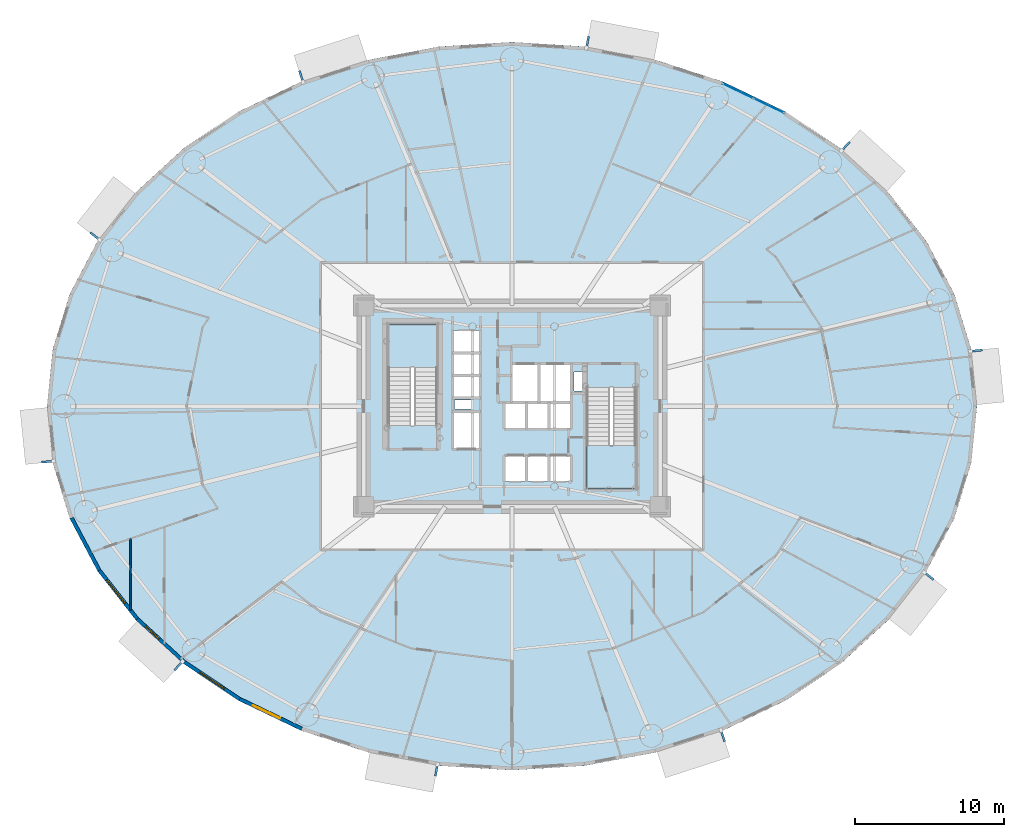
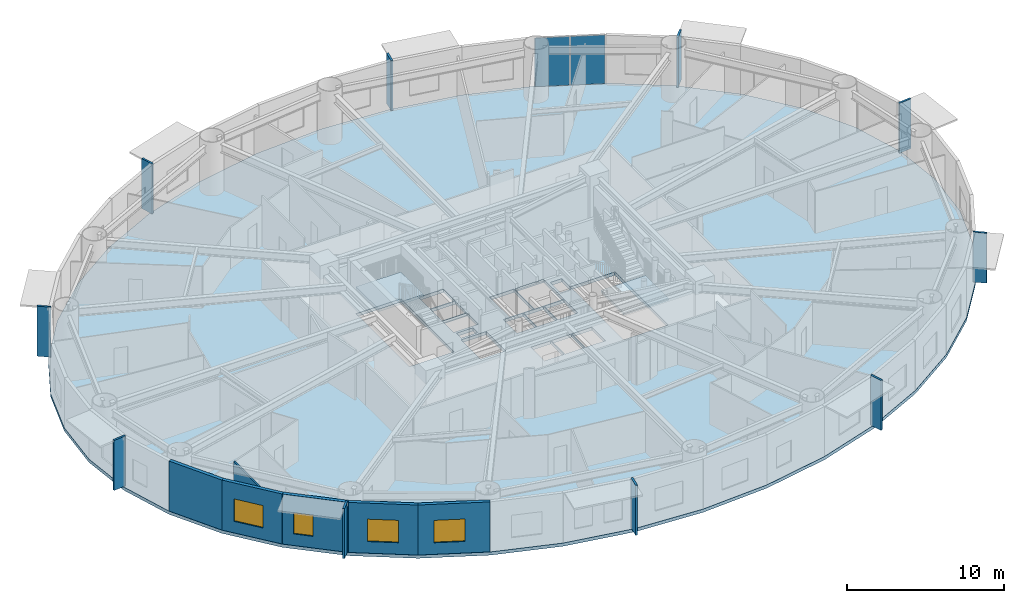
# One storey, part 7 of 21: 12 plates, 6 walls, 4 windows, 3 slabs, 4 openings, 3 elements without a shape of their own.
"""IFC4 building model written with IfcOpenShell, lengths in metres."""

from ifc_helpers import new_model, si_unit, direction, frame, frame_2d, origin, origin_2d, place, context, subcontext, project, spatial, polyline, rectangle, outline, extrude, source, transform, mapped, material, layer, layer_set, type_object, element, fill, aggregate, save


model = new_model("IFC4")

# Units and contexts
model_context = context("Model", 3, precision=1e-05, world=origin(), true_north=direction((0.0, 1.0)))
body_context = subcontext(model_context, "Body", "Model", "MODEL_VIEW")
ifc_project = project(units=[si_unit("LENGTHUNIT", "METRE"), si_unit("AREAUNIT", "SQUARE_METRE"), si_unit("VOLUMEUNIT", "CUBIC_METRE"), si_unit("PLANEANGLEUNIT", "RADIAN"), si_unit("MASSUNIT", "GRAM", prefix="KILO")], contexts=[model_context])

# Site, building, storey
site_placement = place(None, origin())
site = spatial("IfcSite", under=ifc_project, at=site_placement, CompositionType="ELEMENT")
building_placement = place(site_placement, origin())
building = spatial("IfcBuilding", under=site, at=building_placement, Name="Linh Dai School and Residence Tower", CompositionType="ELEMENT")
storey_placement = place(building_placement, frame((0.0, 0.0, 82.800048828125)))
storey = spatial("IfcBuildingStorey", under=building, at=storey_placement, Name="L19", CompositionType="ELEMENT", Elevation=82.800048828125)

# Slab
ifc_material_1 = material(Name="Concrete B45 (C35/45)", Category="concrete")
ifc_layer_1 = layer(ifc_material_1, 0.25)
ifc_layer_set_1 = layer_set([ifc_layer_1], Name="Concrete B45 (C35/45)")
slab_type_1 = type_object("IfcSlabType", Name="SLB-FLR250", PredefinedType="FLOOR", material=ifc_layer_set_1)
slab_1_placement = place(storey_placement, frame((0.0, 0.0, -0.25)))
element("IfcSlab", 1, at=slab_1_placement, inside=storey, type_object=slab_type_1, Name="L19 Composite Structural Floor Slab", PredefinedType="FLOOR", context=body_context, shape_type="SweptSolid", body=[
    extrude(outline(polyline([(67.199951171875, 27.0), (66.81591796875, 30.82177734375), (65.6728515625, 34.54931640625), (63.79931640625, 38.091064453125), (61.2412109375, 41.359619140625), (58.061767578125, 44.274658203125), (54.3388671875, 46.764404296875), (50.16455078125, 48.767333984375), (45.641357421875, 50.234375), (40.880859375, 51.129150390625), (36.0, 51.429931640625), (31.119140625, 51.129150390625), (26.358642578125, 50.234375), (21.83544921875, 48.767333984375), (17.6611328125, 46.764404296875), (13.938232421875, 44.274658203125), (10.7587890625, 41.359619140625), (8.20068359375, 38.091064453125), (6.3271484375, 34.54931640625), (5.18408203125, 30.82177734375), (4.800048828125, 27.0), (5.18408203125, 23.17822265625), (6.3271484375, 19.45068359375), (8.20068359375, 15.908935546875), (10.7587890625, 12.640380859375), (13.938232421875, 9.725341796875), (17.6611328125, 7.235595703125), (21.83544921875, 5.232666015625), (26.358642578125, 3.765625), (31.119140625, 2.870849609375), (36.0, 2.570068359375), (40.880859375, 2.870849609375), (45.641357421875, 3.765625), (50.16455078125, 5.232666015625), (54.3388671875, 7.235595703125), (58.061767578125, 9.725341796875), (61.2412109375, 12.640380859375), (63.79931640625, 15.908935546875), (65.6728515625, 19.45068359375), (66.81591796875, 23.17822265625), (67.199951171875, 27.0)]), holes=[polyline([(30.97998046875, 25.699951171875), (30.97998046875, 32.5), (27.679931640625, 32.5), (27.679931640625, 25.699951171875), (30.97998046875, 25.699951171875)]), polyline([(41.02001953125, 28.25), (41.02001953125, 21.449951171875), (44.320068359375, 21.449951171875), (44.320068359375, 28.25), (41.02001953125, 28.25)]), polyline([(35.97998046875, 27.280029296875), (37.77001953125, 27.280029296875), (37.77001953125, 29.820068359375), (35.97998046875, 29.820068359375), (35.97998046875, 27.280029296875)]), polyline([(32.030029296875, 24.1298828125), (33.8701171875, 24.1298828125), (33.8701171875, 26.6201171875), (32.030029296875, 26.6201171875), (32.030029296875, 24.1298828125)]), polyline([(37.830078125, 27.280029296875), (39.969970703125, 27.280029296875), (39.969970703125, 29.820068359375), (37.830078125, 29.820068359375), (37.830078125, 27.280029296875)]), polyline([(35.47998046875, 21.929931640625), (36.929931640625, 21.929931640625), (36.929931640625, 23.669921875), (35.47998046875, 23.669921875), (35.47998046875, 21.929931640625)]), polyline([(36.989990234375, 21.929931640625), (38.449951171875, 21.929931640625), (38.449951171875, 23.669921875), (36.989990234375, 23.669921875), (36.989990234375, 21.929931640625)]), polyline([(38.510009765625, 21.929931640625), (39.969970703125, 21.929931640625), (39.969970703125, 23.669921875), (38.510009765625, 23.669921875), (38.510009765625, 21.929931640625)]), polyline([(32.030029296875, 27.580078125), (33.8701171875, 27.580078125), (33.8701171875, 29.030029296875), (32.030029296875, 29.030029296875), (32.030029296875, 27.580078125)]), polyline([(32.030029296875, 29.090087890625), (33.8701171875, 29.090087890625), (33.8701171875, 30.550048828125), (32.030029296875, 30.550048828125), (32.030029296875, 29.090087890625)]), polyline([(32.030029296875, 30.610107421875), (33.8701171875, 30.610107421875), (33.8701171875, 32.070068359375), (32.030029296875, 32.070068359375), (32.030029296875, 30.610107421875)]), polyline([(35.47998046875, 25.47998046875), (36.929931640625, 25.47998046875), (36.929931640625, 27.219970703125), (35.47998046875, 27.219970703125), (35.47998046875, 25.47998046875)]), polyline([(36.989990234375, 25.47998046875), (38.449951171875, 25.47998046875), (38.449951171875, 27.219970703125), (36.989990234375, 27.219970703125), (36.989990234375, 25.47998046875)]), polyline([(38.510009765625, 25.47998046875), (39.969970703125, 25.47998046875), (39.969970703125, 27.219970703125), (38.510009765625, 27.219970703125), (38.510009765625, 25.47998046875)]), polyline([(40.14990234375, 28.0), (40.14990234375, 29.300048828125), (41.0, 29.300048828125), (41.0, 28.280029296875), (40.989990234375, 28.280029296875), (40.989990234375, 28.0), (40.14990234375, 28.0)]), polyline([(32.14990234375, 26.800048828125), (33.35009765625, 26.800048828125), (33.35009765625, 27.39990234375), (32.14990234375, 27.39990234375), (32.14990234375, 26.800048828125)])]), origin(), (0.0, 0.0, 1.0), 0.25),
])

# Stair, slab
stair_type = type_object("IfcStairType", Name="ST-DOG-1550-R1500", PredefinedType="HALF_TURN_STAIR", material=ifc_material_1)
stair_1_placement = place(storey_placement, origin())
stair_1 = element("IfcStair", 2, at=stair_1_placement, inside=storey, type_object=stair_type, Name="L19 Core Smokeproof Exit Stair ST1", PredefinedType="HALF_TURN_STAIR")
ifc_layer_2 = layer(ifc_material_1, 0.199951171875)
ifc_layer_set_2 = layer_set([ifc_layer_2], Name="Concrete B45 (C35/45)")
slab_type_2 = type_object("IfcSlabType", Name="SLB-ST-LANDING-200", PredefinedType="LANDING", material=ifc_layer_set_2)
slab_2_placement = place(storey_placement, frame((0.0, 0.0, 1.89990234375)))
slab_2 = element("IfcSlab", 3, at=slab_2_placement, type_object=slab_type_2, Name="ST1 landing 1", PredefinedType="LANDING", context=body_context, shape_type="SweptSolid", body=[
    extrude(outline(polyline([(30.97998046875, 29.60009765625), (30.97998046875, 32.5), (27.679931640625, 32.5), (27.679931640625, 29.60009765625), (30.97998046875, 29.60009765625)])), origin(), (0.0, 0.0, 1.0), 0.199951171875),
])
aggregate(stair_1, [slab_2])

stair_2_placement = place(storey_placement, origin())
stair_2 = element("IfcStair", 4, at=stair_2_placement, inside=storey, type_object=stair_type, Name="L19 Core Smokeproof Exit Stair ST2", PredefinedType="HALF_TURN_STAIR")
slab_3_placement = place(storey_placement, frame((0.0, 0.0, 1.89990234375)))
slab_3 = element("IfcSlab", 5, at=slab_3_placement, type_object=slab_type_2, Name="ST2 landing 1", PredefinedType="LANDING", context=body_context, shape_type="SweptSolid", body=[
    extrude(outline(polyline([(41.02001953125, 24.35009765625), (41.02001953125, 21.449951171875), (44.320068359375, 21.449951171875), (44.320068359375, 24.35009765625), (41.02001953125, 24.35009765625)])), origin(), (0.0, 0.0, 1.0), 0.199951171875),
])
aggregate(stair_2, [slab_3])

# Plates
ifc_material_2 = material(Name="Precast Concrete B45 (C35/45)", Category="concrete")
ifc_layer_3 = layer(ifc_material_2, 0.139892578125)
ifc_layer_set_3 = layer_set([ifc_layer_3], Name="Precast Concrete B45 (C35/45)")
plate_type_1 = type_object("IfcPlateType", Name="FIN-TC-900x140", PredefinedType="USERDEFINED", material=ifc_layer_set_3)
shared_shape_1 = source(origin(), body_context, "Body", "SweptSolid", [
    extrude(rectangle(XDim=0.89990234375, YDim=0.139892578125, at=origin_2d()), origin(), (0.0, 0.0, 1.0), 3.89990234375),
])
for number, where, z_axis, x_axis, name in (
    (6, (67.11328125, 30.718505859375, 0.0), (0.0, 0.0, 1.0), (0.994986493533, 0.100009387998, 0.0), "L19 Precast Terracotta Radial Fin 01"),
    (7, (58.35009765625, 44.397216796875, 0.0), (0.0, 0.0, 1.0), (0.675769237268, 0.737113246362, 0.0), "L19 Precast Terracotta Radial Fin 05"),
    (8, (41.05908203125, 51.385986328125, 0.0), (0.0, 0.0, 1.0), (0.184747948944, 0.982785935675, 0.0), "L19 Precast Terracotta Radial Fin 09"),
    (9, (21.869384765625, 49.078125, 0.0), (0.0, 0.0, 1.0), (-0.308510993844, 0.951220777043, 0.0), "L19 Precast Terracotta Radial Fin 13"),
    (10, (8.056396484375, 38.3701171875, 0.0), (0.0, 0.0, 1.0), (-0.787496262172, 0.616319427785, 0.0), "L19 Precast Terracotta Radial Fin 17"),
    (11, (4.88671875, 23.281494140625, 0.0), (0.0, 0.0, 1.0), (-0.994986493533, -0.100009387998, 0.0), "L19 Precast Terracotta Radial Fin 21"),
    (12, (13.64990234375, 9.602783203125, 0.0), (0.0, 0.0, 1.0), (-0.675769237268, -0.737113246362, 0.0), "L19 Precast Terracotta Radial Fin 25"),
    (13, (30.94091796875, 2.614013671875, 0.0), (0.0, 0.0, 1.0), (-0.184747948944, -0.982785935675, 0.0), "L19 Precast Terracotta Radial Fin 29"),
    (14, (50.130615234375, 4.921875, 0.0), (0.0, 0.0, 1.0), (0.308510993844, -0.951220777043, 0.0), "L19 Precast Terracotta Radial Fin 33"),
    (15, (63.943603515625, 15.6298828125, 0.0), (0.0, 0.0, 1.0), (0.787496262172, -0.616319427785, 0.0), "L19 Precast Terracotta Radial Fin 37"),
):
    element("IfcPlate", number, at=place(storey_placement, frame(where, z_axis=z_axis, x_axis=x_axis)), inside=storey, type_object=plate_type_1, Name=name, ObjectType="RADIAL FIN", PredefinedType="USERDEFINED", context=body_context, shape_type="MappedRepresentation", body=[
        mapped(shared_shape_1, transform((0.0, 0.0, 0.0), x_axis=(1.0, 0.0, 0.0), y_axis=(0.0, 1.0, 0.0), z_axis=(0.0, 0.0, 1.0), scale=1.0)),
    ])

# Curtain wall, plates
ifc_material_3 = material(Name="Aluminium Anodised Curtain Wall", Category="aluminium")
ifc_layer_4 = layer(ifc_material_3, 0.14990234375)
ifc_layer_set_4 = layer_set([ifc_layer_4], Name="Aluminium Anodised Curtain Wall")
curtain_wall_type = type_object("IfcCurtainWallType", Name="CW-SYS-4", PredefinedType="USERDEFINED", material=ifc_layer_set_4)
curtain_wall_placement = place(storey_placement, origin())
curtain_wall = element("IfcCurtainWall", 16, at=curtain_wall_placement, inside=storey, type_object=curtain_wall_type, Name="L19 CW4 Curtain Wall 07", ObjectType="RIBBON CURTAIN WALL", PredefinedType="USERDEFINED")
ifc_material_4 = material(Name="Double Low-E Insulated Glazing", Category="glass")
ifc_layer_5 = layer(ifc_material_4, 0.02587890625)
ifc_layer_set_5 = layer_set([ifc_layer_5], Name="Double Low-E Insulated Glazing")
plate_type_2 = type_object("IfcPlateType", Name="CW-SYS-4-PAN", PredefinedType="CURTAIN_PANEL", material=ifc_layer_set_5)
shared_shape_2 = source(origin(), body_context, "Body", "SweptSolid", [
    extrude(rectangle(XDim=2.228515625, YDim=0.02587890625, at=origin_2d()), origin(), (0.0, 0.0, 1.0), 3.7958984375),
])
plate_1_placement = place(storey_placement, frame((51.169677734375, 48.146728515625, 0.052001953125), z_axis=(0.0, 0.0, 1.0), x_axis=(0.901584514626, -0.432603008528, 0.0)))
plate_1 = element("IfcPlate", 17, at=plate_1_placement, type_object=plate_type_2, Name="CW4 panel 1.1", PredefinedType="CURTAIN_PANEL", context=body_context, shape_type="MappedRepresentation", body=[
    mapped(shared_shape_2, transform((0.0, 0.0, 0.0), x_axis=(1.0, 0.0, 0.0), y_axis=(0.0, 1.0, 0.0), z_axis=(0.0, 0.0, 1.0), scale=1.0)),
])
plate_2_placement = place(storey_placement, frame((53.2255859375, 47.16015625, 0.052001953125), z_axis=(0.0, 0.0, 1.0), x_axis=(0.901584514626, -0.432603008528, 0.0)))
plate_2 = element("IfcPlate", 18, at=plate_2_placement, type_object=plate_type_2, Name="CW4 panel 2.1", PredefinedType="CURTAIN_PANEL", context=body_context, shape_type="MappedRepresentation", body=[
    mapped(shared_shape_2, transform((0.0, 0.0, 0.0), x_axis=(1.0, 0.0, 0.0), y_axis=(0.0, 1.0, 0.0), z_axis=(0.0, 0.0, 1.0), scale=1.0)),
])
aggregate(curtain_wall, [plate_1, plate_2])

# Wall
ifc_layer_6 = layer(ifc_material_2, 0.239990234375)
ifc_layer_set_6 = layer_set([ifc_layer_6], Name="Precast Concrete B45 (C35/45)")
wall_type_1 = type_object("IfcWallType", Name="EW-TC-240", PredefinedType="SOLIDWALL", material=ifc_layer_set_6)
wall_1_placement = place(storey_placement, frame((8.305419921875, 15.977294921875, 0.0), z_axis=(0.0, 0.0, 1.0), x_axis=(-0.467662443071, 0.883907144072, 0.0)))
element("IfcWall", 19, at=wall_1_placement, inside=storey, type_object=wall_type_1, Name="L19 Terracotta Exterior Wall 23", PredefinedType="SOLIDWALL", context=body_context, shape_type="SweptSolid", body=[
    extrude(rectangle(XDim=3.983642578125, YDim=0.239990234375, at=frame_2d((1.99169921875, 0.0))), origin(), (0.0, 0.0, 1.0), 3.89990234375),
])

# Wall, opening, window
wall_2_placement = place(storey_placement, frame((10.850341796875, 12.725341796875, 0.0), z_axis=(0.0, 0.0, 1.0), x_axis=(-0.616295508253, 0.787514981767, 0.0)))
wall_2 = element("IfcWall", 20, at=wall_2_placement, inside=storey, type_object=wall_type_1, Name="L19 Terracotta Exterior Wall 24", PredefinedType="SOLIDWALL", context=body_context, shape_type="SweptSolid", body=[
    extrude(rectangle(XDim=4.12939453125, YDim=0.239990234375, at=frame_2d((2.064697265625, 0.0))), origin(), (0.0, 0.0, 1.0), 3.89990234375),
])
opening_1_placement = place(wall_2_placement, frame((1.32470703125, 0.0, 0.89990234375)))
opening_1 = element("IfcOpeningElement", 21, at=opening_1_placement, cuts=wall_2, Name="Opening W1", PredefinedType="OPENING", context=body_context, shape_type="SweptSolid", body=[
    extrude(rectangle(XDim=2.0, YDim=1.75, at=origin_2d()), frame((1.0, 0.1298828125, 0.875), z_axis=(0.0, -1.0, 0.0), x_axis=(1.0, 0.0, 0.0)), (0.0, 0.0, 1.0), 0.260009765625),
])
window_type_1 = type_object("IfcWindowType", Name="WN-RES-2000x1750", PartitioningType="DOUBLE_PANEL_VERTICAL", PredefinedType="WINDOW", material=ifc_material_4)
shared_shape_3 = source(origin(), body_context, "Body", "SweptSolid", [
    extrude(rectangle(XDim=2.0, YDim=1.75, at=origin_2d()), frame((1.0, 0.030029296875, 0.875), z_axis=(0.0, -1.0, 0.0), x_axis=(1.0, 0.0, 0.0)), (0.0, 0.0, 1.0), 0.06005859375),
])
window_1_placement = place(opening_1_placement, origin())
window_1 = element("IfcWindow", 22, at=window_1_placement, inside=storey, type_object=window_type_1, Name="L19 Exterior Window 24.1", OverallHeight=1.75, OverallWidth=2.0, PartitioningType="DOUBLE_PANEL_VERTICAL", PredefinedType="WINDOW", context=body_context, shape_type="MappedRepresentation", body=[
    mapped(shared_shape_3, transform((0.0, 0.0, 0.0), x_axis=(1.0, 0.0, 0.0), y_axis=(0.0, 1.0, 0.0), z_axis=(0.0, 0.0, 1.0), scale=1.0)),
])
fill(opening_1, window_1)

wall_3_placement = place(storey_placement, frame((14.015380859375, 9.82373046875, 0.0), z_axis=(0.0, 0.0, 1.0), x_axis=(-0.737116376281, 0.67576582321, 0.0)))
wall_3 = element("IfcWall", 23, at=wall_3_placement, inside=storey, type_object=wall_type_1, Name="L19 Terracotta Exterior Wall 25", PredefinedType="SOLIDWALL", context=body_context, shape_type="SweptSolid", body=[
    extrude(rectangle(XDim=4.293701171875, YDim=0.239990234375, at=frame_2d((2.14697265625, 0.0))), origin(), (0.0, 0.0, 1.0), 3.89990234375),
])
opening_2_placement = place(wall_3_placement, frame((2.300048828125, 0.0, 0.89990234375)))
opening_2 = element("IfcOpeningElement", 24, at=opening_2_placement, cuts=wall_3, Name="Opening W3", PredefinedType="OPENING", context=body_context, shape_type="SweptSolid", body=[
    extrude(rectangle(XDim=1.25, YDim=1.64990234375, at=origin_2d()), frame((0.625, 0.1298828125, 0.824951171875), z_axis=(0.0, -1.0, 0.0), x_axis=(1.0, 0.0, 0.0)), (0.0, 0.0, 1.0), 0.260009765625),
])
window_type_2 = type_object("IfcWindowType", Name="WN-RES-1250x1650", PartitioningType="SINGLE_PANEL", PredefinedType="WINDOW", material=ifc_material_4)
shared_shape_4 = source(origin(), body_context, "Body", "SweptSolid", [
    extrude(rectangle(XDim=1.25, YDim=1.64990234375, at=origin_2d()), frame((0.625, 0.030029296875, 0.824951171875), z_axis=(0.0, -1.0, 0.0), x_axis=(1.0, 0.0, 0.0)), (0.0, 0.0, 1.0), 0.06005859375),
])
window_2_placement = place(opening_2_placement, origin())
window_2 = element("IfcWindow", 25, at=window_2_placement, inside=storey, type_object=window_type_2, Name="L19 Exterior Window 25.1", OverallHeight=1.64990234375, OverallWidth=1.25, PartitioningType="SINGLE_PANEL", PredefinedType="WINDOW", context=body_context, shape_type="MappedRepresentation", body=[
    mapped(shared_shape_4, transform((0.0, 0.0, 0.0), x_axis=(1.0, 0.0, 0.0), y_axis=(0.0, 1.0, 0.0), z_axis=(0.0, 0.0, 1.0), scale=1.0)),
])
fill(opening_2, window_2)

wall_4_placement = place(storey_placement, frame((17.722900390625, 7.34423828125, 0.0), z_axis=(0.0, 0.0, 1.0), x_axis=(-0.831240982525, 0.555912249343, 0.0)))
wall_4 = element("IfcWall", 26, at=wall_4_placement, inside=storey, type_object=wall_type_1, Name="L19 Terracotta Exterior Wall 26", PredefinedType="SOLIDWALL", context=body_context, shape_type="SweptSolid", body=[
    extrude(rectangle(XDim=4.460205078125, YDim=0.239990234375, at=frame_2d((2.22998046875, 0.0))), origin(), (0.0, 0.0, 1.0), 3.89990234375),
])
opening_3_placement = place(wall_4_placement, frame((1.22998046875, 0.0, 0.89990234375)))
opening_3 = element("IfcOpeningElement", 27, at=opening_3_placement, cuts=wall_4, Name="Opening W1", PredefinedType="OPENING", context=body_context, shape_type="SweptSolid", body=[
    extrude(rectangle(XDim=2.0, YDim=1.75, at=origin_2d()), frame((1.0, 0.1298828125, 0.875), z_axis=(0.0, -1.0, 0.0), x_axis=(1.0, 0.0, 0.0)), (0.0, 0.0, 1.0), 0.260009765625),
])
window_3_placement = place(opening_3_placement, origin())
window_3 = element("IfcWindow", 28, at=window_3_placement, inside=storey, type_object=window_type_1, Name="L19 Exterior Window 26.1", OverallHeight=1.75, OverallWidth=2.0, PartitioningType="DOUBLE_PANEL_VERTICAL", PredefinedType="WINDOW", context=body_context, shape_type="MappedRepresentation", body=[
    mapped(shared_shape_3, transform((0.0, 0.0, 0.0), x_axis=(1.0, 0.0, 0.0), y_axis=(0.0, 1.0, 0.0), z_axis=(0.0, 0.0, 1.0), scale=1.0)),
])
fill(opening_3, window_3)

wall_5_placement = place(storey_placement, frame((21.8818359375, 5.348876953125, 0.0), z_axis=(0.0, 0.0, 1.0), x_axis=(-0.901601503137, 0.432567601123, 0.0)))
wall_5 = element("IfcWall", 29, at=wall_5_placement, inside=storey, type_object=wall_type_1, Name="L19 Terracotta Exterior Wall 27", PredefinedType="SOLIDWALL", context=body_context, shape_type="SweptSolid", body=[
    extrude(rectangle(XDim=4.61279296875, YDim=0.239990234375, at=frame_2d((2.306396484375, 0.0))), origin(), (0.0, 0.0, 1.0), 3.89990234375),
])
opening_4_placement = place(wall_5_placement, frame((1.608642578125, 0.0, 0.89990234375)))
opening_4 = element("IfcOpeningElement", 30, at=opening_4_placement, cuts=wall_5, Name="Opening W1", PredefinedType="OPENING", context=body_context, shape_type="SweptSolid", body=[
    extrude(rectangle(XDim=2.0, YDim=1.75, at=origin_2d()), frame((1.0, 0.1298828125, 0.875), z_axis=(0.0, -1.0, 0.0), x_axis=(1.0, 0.0, 0.0)), (0.0, 0.0, 1.0), 0.260009765625),
])
window_4_placement = place(opening_4_placement, origin())
window_4 = element("IfcWindow", 31, at=window_4_placement, inside=storey, type_object=window_type_1, Name="L19 Exterior Window 27.1", OverallHeight=1.75, OverallWidth=2.0, PartitioningType="DOUBLE_PANEL_VERTICAL", PredefinedType="WINDOW", context=body_context, shape_type="MappedRepresentation", body=[
    mapped(shared_shape_3, transform((0.0, 0.0, 0.0), x_axis=(1.0, 0.0, 0.0), y_axis=(0.0, 1.0, 0.0), z_axis=(0.0, 0.0, 1.0), scale=1.0)),
])
fill(opening_4, window_4)

# Wall
ifc_material_5 = material(Name="Gypsum Plasterboard Acoustic Stud Partition", Category="masonry")
ifc_layer_7 = layer(ifc_material_5, 0.10009765625)
ifc_layer_set_7 = layer_set([ifc_layer_7], Name="Gypsum Plasterboard Acoustic Stud Partition")
wall_type_2 = type_object("IfcWallType", Name="IW-UNIT-100", PredefinedType="PARTITIONING", material=ifc_layer_set_7)
wall_6_placement = place(storey_placement, frame((10.386962890625, 13.309326171875, 0.0), z_axis=(0.0, 0.0, 1.0), x_axis=(0.0, 1.0, 0.0)))
element("IfcWall", 32, at=wall_6_placement, inside=storey, type_object=wall_type_2, Name="L19 Interior Partition Wall 006", PredefinedType="PARTITIONING", context=body_context, shape_type="SweptSolid", body=[
    extrude(rectangle(XDim=4.79150390625, YDim=0.10009765625, at=frame_2d((2.395751953125, 0.0))), origin(), (0.0, 0.0, 1.0), 3.284912109375),
])

save(model, "model.ifc")
